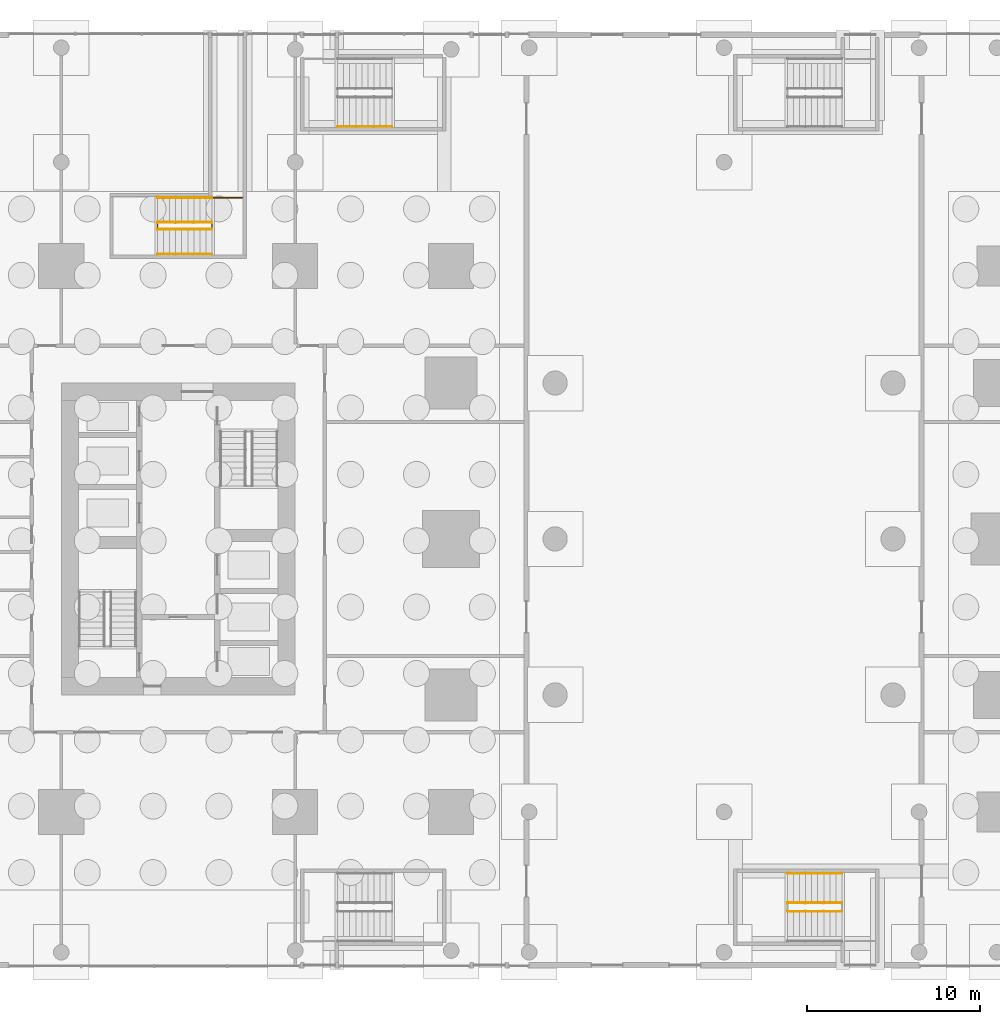
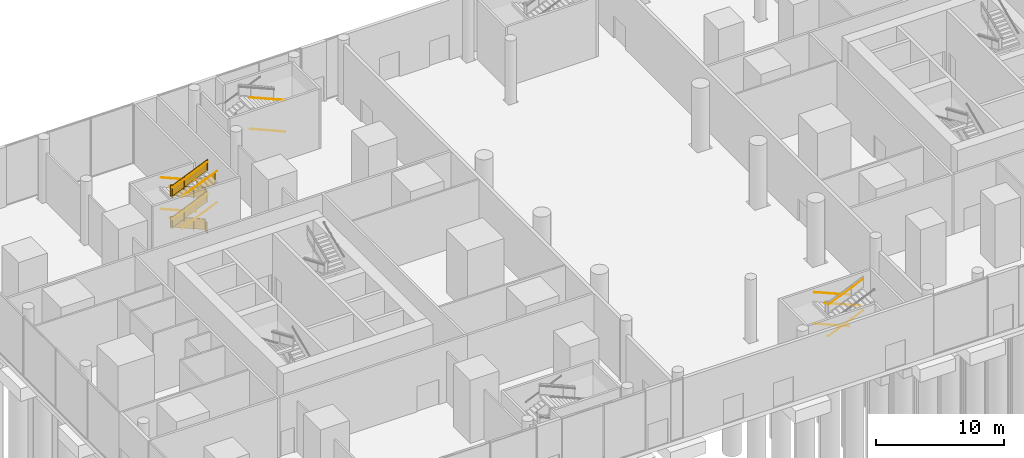
# One storey, part 27 of 31: 17 railings.
"""IFC4 building model written with IfcOpenShell, lengths in metres."""

from ifc_helpers import new_model, si_unit, direction, frame, origin, origin_2d, place, context, subcontext, project, spatial, polyline, circle, outline, extrude, material, type_object, element, save


model = new_model("IFC4")

# Units and contexts
model_context = context("Model", 3, precision=1e-05, world=origin(), true_north=direction((0.0, 1.0)))
body_context = subcontext(model_context, "Body", "Model", "MODEL_VIEW")
ifc_project = project(units=[si_unit("LENGTHUNIT", "METRE"), si_unit("AREAUNIT", "SQUARE_METRE"), si_unit("VOLUMEUNIT", "CUBIC_METRE"), si_unit("PLANEANGLEUNIT", "RADIAN"), si_unit("MASSUNIT", "GRAM", prefix="KILO")], contexts=[model_context])

# Site, building, storey
site_placement = place(None, origin())
site = spatial("IfcSite", under=ifc_project, at=site_placement, CompositionType="ELEMENT")
building_placement = place(site_placement, origin())
building = spatial("IfcBuilding", under=site, at=building_placement, Name="Namib Vertical Campus", CompositionType="ELEMENT")
storey_placement = place(building_placement, origin())
storey = spatial("IfcBuildingStorey", under=building, at=storey_placement, Name="L00", CompositionType="ELEMENT", Elevation=0.0)

# Railings
ifc_material_1 = material(Name="Steel handrail", Category="steel")
railing_type_1 = type_object("IfcRailingType", Name="Handrail 900", PredefinedType="HANDRAIL", material=ifc_material_1)
for number, where, name in (
    (1, (32.59619140625, 44.050048828125, 1.64990234375), "Handrail HR1 P-S1 L00 2"),
    (2, (32.59619140625, 44.050048828125, 4.64990234375), "Handrail HR1 P-S1 L00 4"),
):
    element("IfcRailing", number, at=place(storey_placement, frame(where)), inside=storey, type_object=railing_type_1, Name=name, PredefinedType="HANDRAIL", context=body_context, shape_type="SweptSolid", body=[
        extrude(circle(Radius=0.02392578125, at=origin_2d()), frame((0.0, 0.0, 0.8759765625), z_axis=(-0.919141345424, 0.0, 0.393927895853), x_axis=(0.0, -1.0, 0.0)), (0.0, 0.0, 1.0), 3.42724609375),
        extrude(circle(Radius=0.008056640625, at=origin_2d()), frame((0.0, 0.0, 0.8759765625), z_axis=(0.0, -1.0, 0.0), x_axis=(0.0, 0.0, 1.0)), (0.0, 0.0, 1.0), 0.050048828125),
        extrude(circle(Radius=0.008056640625, at=origin_2d()), frame((-1.050048828125, 0.0, 1.325927734375), z_axis=(0.0, -1.0, 0.0), x_axis=(0.0, 0.0, 1.0)), (0.0, 0.0, 1.0), 0.050048828125),
        extrude(circle(Radius=0.008056640625, at=origin_2d()), frame((-2.10009765625, 0.0, 1.77587890625), z_axis=(0.0, -1.0, 0.0), x_axis=(0.0, 0.0, 1.0)), (0.0, 0.0, 1.0), 0.050048828125),
        extrude(circle(Radius=0.008056640625, at=origin_2d()), frame((-3.150146484375, 0.0, 2.22607421875), z_axis=(0.0, -1.0, 0.0), x_axis=(0.0, 0.0, 1.0)), (0.0, 0.0, 1.0), 0.050048828125),
    ])
for number, where, name in (
    (3, (58.553955078125, 0.949951171875, 0.14990234375), "Handrail HR1 P-S4 L00 1"),
    (4, (58.553955078125, 0.949951171875, 3.14990234375), "Handrail HR1 P-S4 L00 3"),
):
    element("IfcRailing", number, at=place(storey_placement, frame(where)), inside=storey, type_object=railing_type_1, Name=name, PredefinedType="HANDRAIL", context=body_context, shape_type="SweptSolid", body=[
        extrude(circle(Radius=0.02392578125, at=origin_2d()), frame((0.0, 0.0, 0.8759765625), z_axis=(-0.919141345424, 0.0, 0.393927895853), x_axis=(0.0, -1.0, 0.0)), (0.0, 0.0, 1.0), 3.42724609375),
        extrude(circle(Radius=0.008056640625, at=origin_2d()), frame((0.0, 0.0, 0.8759765625), z_axis=(0.0, 1.0, 0.0), x_axis=(0.0, 0.0, 1.0)), (0.0, 0.0, 1.0), 0.050048828125),
        extrude(circle(Radius=0.008056640625, at=origin_2d()), frame((-1.050048828125, 0.0, 1.325927734375), z_axis=(0.0, 1.0, 0.0), x_axis=(0.0, 0.0, 1.0)), (0.0, 0.0, 1.0), 0.050048828125),
        extrude(circle(Radius=0.008056640625, at=origin_2d()), frame((-2.10009765625, 0.0, 1.77587890625), z_axis=(0.0, 1.0, 0.0), x_axis=(0.0, 0.0, 1.0)), (0.0, 0.0, 1.0), 0.050048828125),
        extrude(circle(Radius=0.008056640625, at=origin_2d()), frame((-3.150146484375, 0.0, 2.22607421875), z_axis=(0.0, 1.0, 0.0), x_axis=(0.0, 0.0, 1.0)), (0.0, 0.0, 1.0), 0.050048828125),
    ])
railing_1_placement = place(storey_placement, frame((55.40380859375, -1.25, 1.64990234375)))
element("IfcRailing", 5, at=railing_1_placement, inside=storey, type_object=railing_type_1, Name="Handrail HR1 P-S4 L00 2 at the well", PredefinedType="HANDRAIL", context=body_context, shape_type="SweptSolid", body=[
    extrude(circle(Radius=0.02392578125, at=origin_2d()), frame((0.0, 0.0, 0.8759765625), z_axis=(0.919141345424, 0.0, 0.393927895853), x_axis=(0.0, 1.0, 0.0)), (0.0, 0.0, 1.0), 3.42724609375),
    extrude(circle(Radius=0.008056640625, at=origin_2d()), frame((0.0, 0.0, 0.8759765625), z_axis=(0.0, 1.0, 0.0), x_axis=(0.0, 0.0, 1.0)), (0.0, 0.0, 1.0), 0.0400390625),
    extrude(circle(Radius=0.008056640625, at=origin_2d()), frame((1.050048828125, 0.0, 1.325927734375), z_axis=(0.0, 1.0, 0.0), x_axis=(0.0, 0.0, 1.0)), (0.0, 0.0, 1.0), 0.0400390625),
    extrude(circle(Radius=0.008056640625, at=origin_2d()), frame((2.10009765625, 0.0, 1.77587890625), z_axis=(0.0, 1.0, 0.0), x_axis=(0.0, 0.0, 1.0)), (0.0, 0.0, 1.0), 0.0400390625),
    extrude(circle(Radius=0.008056640625, at=origin_2d()), frame((3.150146484375, 0.0, 2.22607421875), z_axis=(0.0, 1.0, 0.0), x_axis=(0.0, 0.0, 1.0)), (0.0, 0.0, 1.0), 0.0400390625),
])
railing_2_placement = place(storey_placement, frame((58.553955078125, -0.75, 3.14990234375)))
element("IfcRailing", 6, at=railing_2_placement, inside=storey, type_object=railing_type_1, Name="Handrail HR1 P-S4 L00 3 at the well", PredefinedType="HANDRAIL", context=body_context, shape_type="SweptSolid", body=[
    extrude(circle(Radius=0.02392578125, at=origin_2d()), frame((0.0, 0.0, 0.8759765625), z_axis=(-0.919141345424, 0.0, 0.393927895853), x_axis=(0.0, -1.0, 0.0)), (0.0, 0.0, 1.0), 3.42724609375),
    extrude(circle(Radius=0.008056640625, at=origin_2d()), frame((0.0, 0.0, 0.8759765625), z_axis=(0.0, -1.0, 0.0), x_axis=(0.0, 0.0, 1.0)), (0.0, 0.0, 1.0), 0.0400390625),
    extrude(circle(Radius=0.008056640625, at=origin_2d()), frame((-1.050048828125, 0.0, 1.325927734375), z_axis=(0.0, -1.0, 0.0), x_axis=(0.0, 0.0, 1.0)), (0.0, 0.0, 1.0), 0.0400390625),
    extrude(circle(Radius=0.008056640625, at=origin_2d()), frame((-2.10009765625, 0.0, 1.77587890625), z_axis=(0.0, -1.0, 0.0), x_axis=(0.0, 0.0, 1.0)), (0.0, 0.0, 1.0), 0.0400390625),
    extrude(circle(Radius=0.008056640625, at=origin_2d()), frame((-3.150146484375, 0.0, 2.22607421875), z_axis=(0.0, -1.0, 0.0), x_axis=(0.0, 0.0, 1.0)), (0.0, 0.0, 1.0), 0.0400390625),
])
railing_3_placement = place(storey_placement, frame((55.40380859375, -1.25, 4.64990234375)))
element("IfcRailing", 7, at=railing_3_placement, inside=storey, type_object=railing_type_1, Name="Handrail HR1 P-S4 L00 4 at the well", PredefinedType="HANDRAIL", context=body_context, shape_type="SweptSolid", body=[
    extrude(circle(Radius=0.02392578125, at=origin_2d()), frame((0.0, 0.0, 0.8759765625), z_axis=(0.919141345424, 0.0, 0.393927895853), x_axis=(0.0, 1.0, 0.0)), (0.0, 0.0, 1.0), 3.42724609375),
    extrude(circle(Radius=0.008056640625, at=origin_2d()), frame((0.0, 0.0, 0.8759765625), z_axis=(0.0, 1.0, 0.0), x_axis=(0.0, 0.0, 1.0)), (0.0, 0.0, 1.0), 0.0400390625),
    extrude(circle(Radius=0.008056640625, at=origin_2d()), frame((1.050048828125, 0.0, 1.325927734375), z_axis=(0.0, 1.0, 0.0), x_axis=(0.0, 0.0, 1.0)), (0.0, 0.0, 1.0), 0.0400390625),
    extrude(circle(Radius=0.008056640625, at=origin_2d()), frame((2.10009765625, 0.0, 1.77587890625), z_axis=(0.0, 1.0, 0.0), x_axis=(0.0, 0.0, 1.0)), (0.0, 0.0, 1.0), 0.0400390625),
    extrude(circle(Radius=0.008056640625, at=origin_2d()), frame((3.150146484375, 0.0, 2.22607421875), z_axis=(0.0, 1.0, 0.0), x_axis=(0.0, 0.0, 1.0)), (0.0, 0.0, 1.0), 0.0400390625),
])
railing_4_placement = place(storey_placement, frame((22.199951171875, 39.949951171875, 0.14990234375)))
element("IfcRailing", 8, at=railing_4_placement, inside=storey, type_object=railing_type_1, Name="Handrail HR1 A-S3 L00 1", PredefinedType="HANDRAIL", context=body_context, shape_type="SweptSolid", body=[
    extrude(circle(Radius=0.02392578125, at=origin_2d()), frame((0.0, 0.0, 0.8759765625), z_axis=(-0.919130290196, 0.0, 0.393953689721), x_axis=(0.0, -1.0, 0.0)), (0.0, 0.0, 1.0), 3.427001953125),
    extrude(circle(Radius=0.008056640625, at=origin_2d()), frame((0.0, 0.0, 0.8759765625), z_axis=(0.0, 1.0, 0.0), x_axis=(0.0, 0.0, 1.0)), (0.0, 0.0, 1.0), 0.050048828125),
    extrude(circle(Radius=0.008056640625, at=origin_2d()), frame((-1.050048828125, 0.0, 1.325927734375), z_axis=(0.0, 1.0, 0.0), x_axis=(0.0, 0.0, 1.0)), (0.0, 0.0, 1.0), 0.050048828125),
    extrude(circle(Radius=0.008056640625, at=origin_2d()), frame((-2.099853515625, 0.0, 1.77587890625), z_axis=(0.0, 1.0, 0.0), x_axis=(0.0, 0.0, 1.0)), (0.0, 0.0, 1.0), 0.050048828125),
    extrude(circle(Radius=0.008056640625, at=origin_2d()), frame((-3.14990234375, 0.0, 2.22607421875), z_axis=(0.0, 1.0, 0.0), x_axis=(0.0, 0.0, 1.0)), (0.0, 0.0, 1.0), 0.050048828125),
])
railing_5_placement = place(storey_placement, frame((19.050048828125, 36.699951171875, 1.64990234375)))
element("IfcRailing", 9, at=railing_5_placement, inside=storey, type_object=railing_type_1, Name="Handrail HR1 A-S3 L00 2", PredefinedType="HANDRAIL", context=body_context, shape_type="SweptSolid", body=[
    extrude(circle(Radius=0.02392578125, at=origin_2d()), frame((0.0, 0.0, 0.8759765625), z_axis=(0.919130290196, 0.0, 0.393953689721), x_axis=(0.0, 1.0, 0.0)), (0.0, 0.0, 1.0), 3.427001953125),
    extrude(circle(Radius=0.008056640625, at=origin_2d()), frame((0.0, 0.0, 0.8759765625), z_axis=(0.0, -1.0, 0.0), x_axis=(0.0, 0.0, 1.0)), (0.0, 0.0, 1.0), 0.050048828125),
    extrude(circle(Radius=0.008056640625, at=origin_2d()), frame((1.050048828125, 0.0, 1.325927734375), z_axis=(0.0, -1.0, 0.0), x_axis=(0.0, 0.0, 1.0)), (0.0, 0.0, 1.0), 0.050048828125),
    extrude(circle(Radius=0.008056640625, at=origin_2d()), frame((2.099853515625, 0.0, 1.77587890625), z_axis=(0.0, -1.0, 0.0), x_axis=(0.0, 0.0, 1.0)), (0.0, 0.0, 1.0), 0.050048828125),
    extrude(circle(Radius=0.008056640625, at=origin_2d()), frame((3.14990234375, 0.0, 2.22607421875), z_axis=(0.0, -1.0, 0.0), x_axis=(0.0, 0.0, 1.0)), (0.0, 0.0, 1.0), 0.050048828125),
])
railing_6_placement = place(storey_placement, frame((22.199951171875, 39.949951171875, 3.14990234375)))
element("IfcRailing", 10, at=railing_6_placement, inside=storey, type_object=railing_type_1, Name="Handrail HR1 A-S3 L00 3", PredefinedType="HANDRAIL", context=body_context, shape_type="SweptSolid", body=[
    extrude(circle(Radius=0.02392578125, at=origin_2d()), frame((0.0, 0.0, 0.8759765625), z_axis=(-0.919130290196, 0.0, 0.393953689721), x_axis=(0.0, -1.0, 0.0)), (0.0, 0.0, 1.0), 3.427001953125),
    extrude(circle(Radius=0.008056640625, at=origin_2d()), frame((0.0, 0.0, 0.8759765625), z_axis=(0.0, 1.0, 0.0), x_axis=(0.0, 0.0, 1.0)), (0.0, 0.0, 1.0), 0.050048828125),
    extrude(circle(Radius=0.008056640625, at=origin_2d()), frame((-1.050048828125, 0.0, 1.325927734375), z_axis=(0.0, 1.0, 0.0), x_axis=(0.0, 0.0, 1.0)), (0.0, 0.0, 1.0), 0.050048828125),
    extrude(circle(Radius=0.008056640625, at=origin_2d()), frame((-2.099853515625, 0.0, 1.77587890625), z_axis=(0.0, 1.0, 0.0), x_axis=(0.0, 0.0, 1.0)), (0.0, 0.0, 1.0), 0.050048828125),
    extrude(circle(Radius=0.008056640625, at=origin_2d()), frame((-3.14990234375, 0.0, 2.22607421875), z_axis=(0.0, 1.0, 0.0), x_axis=(0.0, 0.0, 1.0)), (0.0, 0.0, 1.0), 0.050048828125),
])
railing_7_placement = place(storey_placement, frame((19.050048828125, 36.699951171875, 4.64990234375)))
element("IfcRailing", 11, at=railing_7_placement, inside=storey, type_object=railing_type_1, Name="Handrail HR1 A-S3 L00 4", PredefinedType="HANDRAIL", context=body_context, shape_type="SweptSolid", body=[
    extrude(circle(Radius=0.02392578125, at=origin_2d()), frame((0.0, 0.0, 0.8759765625), z_axis=(0.919130290196, 0.0, 0.393953689721), x_axis=(0.0, 1.0, 0.0)), (0.0, 0.0, 1.0), 3.427001953125),
    extrude(circle(Radius=0.008056640625, at=origin_2d()), frame((0.0, 0.0, 0.8759765625), z_axis=(0.0, -1.0, 0.0), x_axis=(0.0, 0.0, 1.0)), (0.0, 0.0, 1.0), 0.050048828125),
    extrude(circle(Radius=0.008056640625, at=origin_2d()), frame((1.050048828125, 0.0, 1.325927734375), z_axis=(0.0, -1.0, 0.0), x_axis=(0.0, 0.0, 1.0)), (0.0, 0.0, 1.0), 0.050048828125),
    extrude(circle(Radius=0.008056640625, at=origin_2d()), frame((2.099853515625, 0.0, 1.77587890625), z_axis=(0.0, -1.0, 0.0), x_axis=(0.0, 0.0, 1.0)), (0.0, 0.0, 1.0), 0.050048828125),
    extrude(circle(Radius=0.008056640625, at=origin_2d()), frame((3.14990234375, 0.0, 2.22607421875), z_axis=(0.0, -1.0, 0.0), x_axis=(0.0, 0.0, 1.0)), (0.0, 0.0, 1.0), 0.050048828125),
])
railing_8_placement = place(storey_placement, frame((22.199951171875, 38.52490234375, 0.14990234375)))
element("IfcRailing", 12, at=railing_8_placement, inside=storey, type_object=railing_type_1, Name="Handrail HR1 A-S3 L00 1 at the well", PredefinedType="HANDRAIL", context=body_context, shape_type="SweptSolid", body=[
    extrude(circle(Radius=0.02392578125, at=origin_2d()), frame((0.0, 0.0, 0.8759765625), z_axis=(-0.919130290196, 0.0, 0.393953689721), x_axis=(0.0, -1.0, 0.0)), (0.0, 0.0, 1.0), 3.427001953125),
    extrude(circle(Radius=0.008056640625, at=origin_2d()), frame((0.0, 0.0, 0.8759765625), z_axis=(0.0, -1.0, 0.0), x_axis=(0.0, 0.0, 1.0)), (0.0, 0.0, 1.0), 0.0400390625),
    extrude(circle(Radius=0.008056640625, at=origin_2d()), frame((-1.050048828125, 0.0, 1.325927734375), z_axis=(0.0, -1.0, 0.0), x_axis=(0.0, 0.0, 1.0)), (0.0, 0.0, 1.0), 0.0400390625),
    extrude(circle(Radius=0.008056640625, at=origin_2d()), frame((-2.099853515625, 0.0, 1.77587890625), z_axis=(0.0, -1.0, 0.0), x_axis=(0.0, 0.0, 1.0)), (0.0, 0.0, 1.0), 0.0400390625),
    extrude(circle(Radius=0.008056640625, at=origin_2d()), frame((-3.14990234375, 0.0, 2.22607421875), z_axis=(0.0, -1.0, 0.0), x_axis=(0.0, 0.0, 1.0)), (0.0, 0.0, 1.0), 0.0400390625),
])
railing_9_placement = place(storey_placement, frame((19.050048828125, 38.125, 1.64990234375)))
element("IfcRailing", 13, at=railing_9_placement, inside=storey, type_object=railing_type_1, Name="Handrail HR1 A-S3 L00 2 at the well", PredefinedType="HANDRAIL", context=body_context, shape_type="SweptSolid", body=[
    extrude(circle(Radius=0.02392578125, at=origin_2d()), frame((0.0, 0.0, 0.8759765625), z_axis=(0.919130290196, 0.0, 0.393953689721), x_axis=(0.0, 1.0, 0.0)), (0.0, 0.0, 1.0), 3.427001953125),
    extrude(circle(Radius=0.008056640625, at=origin_2d()), frame((0.0, 0.0, 0.8759765625), z_axis=(0.0, 1.0, 0.0), x_axis=(0.0, 0.0, 1.0)), (0.0, 0.0, 1.0), 0.0400390625),
    extrude(circle(Radius=0.008056640625, at=origin_2d()), frame((1.050048828125, 0.0, 1.325927734375), z_axis=(0.0, 1.0, 0.0), x_axis=(0.0, 0.0, 1.0)), (0.0, 0.0, 1.0), 0.0400390625),
    extrude(circle(Radius=0.008056640625, at=origin_2d()), frame((2.099853515625, 0.0, 1.77587890625), z_axis=(0.0, 1.0, 0.0), x_axis=(0.0, 0.0, 1.0)), (0.0, 0.0, 1.0), 0.0400390625),
    extrude(circle(Radius=0.008056640625, at=origin_2d()), frame((3.14990234375, 0.0, 2.22607421875), z_axis=(0.0, 1.0, 0.0), x_axis=(0.0, 0.0, 1.0)), (0.0, 0.0, 1.0), 0.0400390625),
])
railing_10_placement = place(storey_placement, frame((22.199951171875, 38.52490234375, 3.14990234375)))
element("IfcRailing", 14, at=railing_10_placement, inside=storey, type_object=railing_type_1, Name="Handrail HR1 A-S3 L00 3 at the well", PredefinedType="HANDRAIL", context=body_context, shape_type="SweptSolid", body=[
    extrude(circle(Radius=0.02392578125, at=origin_2d()), frame((0.0, 0.0, 0.8759765625), z_axis=(-0.919130290196, 0.0, 0.393953689721), x_axis=(0.0, -1.0, 0.0)), (0.0, 0.0, 1.0), 3.427001953125),
    extrude(circle(Radius=0.008056640625, at=origin_2d()), frame((0.0, 0.0, 0.8759765625), z_axis=(0.0, -1.0, 0.0), x_axis=(0.0, 0.0, 1.0)), (0.0, 0.0, 1.0), 0.0400390625),
    extrude(circle(Radius=0.008056640625, at=origin_2d()), frame((-1.050048828125, 0.0, 1.325927734375), z_axis=(0.0, -1.0, 0.0), x_axis=(0.0, 0.0, 1.0)), (0.0, 0.0, 1.0), 0.0400390625),
    extrude(circle(Radius=0.008056640625, at=origin_2d()), frame((-2.099853515625, 0.0, 1.77587890625), z_axis=(0.0, -1.0, 0.0), x_axis=(0.0, 0.0, 1.0)), (0.0, 0.0, 1.0), 0.0400390625),
    extrude(circle(Radius=0.008056640625, at=origin_2d()), frame((-3.14990234375, 0.0, 2.22607421875), z_axis=(0.0, -1.0, 0.0), x_axis=(0.0, 0.0, 1.0)), (0.0, 0.0, 1.0), 0.0400390625),
])
railing_11_placement = place(storey_placement, frame((19.050048828125, 38.125, 4.64990234375)))
element("IfcRailing", 15, at=railing_11_placement, inside=storey, type_object=railing_type_1, Name="Handrail HR1 A-S3 L00 4 at the well", PredefinedType="HANDRAIL", context=body_context, shape_type="SweptSolid", body=[
    extrude(circle(Radius=0.02392578125, at=origin_2d()), frame((0.0, 0.0, 0.8759765625), z_axis=(0.919130290196, 0.0, 0.393953689721), x_axis=(0.0, 1.0, 0.0)), (0.0, 0.0, 1.0), 3.427001953125),
    extrude(circle(Radius=0.008056640625, at=origin_2d()), frame((0.0, 0.0, 0.8759765625), z_axis=(0.0, 1.0, 0.0), x_axis=(0.0, 0.0, 1.0)), (0.0, 0.0, 1.0), 0.0400390625),
    extrude(circle(Radius=0.008056640625, at=origin_2d()), frame((1.050048828125, 0.0, 1.325927734375), z_axis=(0.0, 1.0, 0.0), x_axis=(0.0, 0.0, 1.0)), (0.0, 0.0, 1.0), 0.0400390625),
    extrude(circle(Radius=0.008056640625, at=origin_2d()), frame((2.099853515625, 0.0, 1.77587890625), z_axis=(0.0, 1.0, 0.0), x_axis=(0.0, 0.0, 1.0)), (0.0, 0.0, 1.0), 0.0400390625),
    extrude(circle(Radius=0.008056640625, at=origin_2d()), frame((3.14990234375, 0.0, 2.22607421875), z_axis=(0.0, 1.0, 0.0), x_axis=(0.0, 0.0, 1.0)), (0.0, 0.0, 1.0), 0.0400390625),
])
ifc_material_2 = material(Name="Steel balustrade", Category="steel")
railing_type_2 = type_object("IfcRailingType", Name="Stair guard 1100", PredefinedType="GUARDRAIL", material=ifc_material_2)
railing_12_placement = place(storey_placement, frame((22.199951171875, 38.175048828125, 0.0)))
element("IfcRailing", 16, at=railing_12_placement, inside=storey, type_object=railing_type_2, Name="Stair guard GR1 A-S3 L00", PredefinedType="GUARDRAIL", context=body_context, shape_type="SweptSolid", body=[
    extrude(circle(Radius=0.02392578125, at=origin_2d()), frame((0.0, 0.0, 1.076171875), z_axis=(0.0, 1.0, 0.0), x_axis=(-1.0, 0.0, 0.0)), (0.0, 0.0, 1.0), 0.300048828125),
    extrude(outline(polyline([(0.02099609375, 0.050048828125), (0.279052734375, 0.050048828125), (0.279052734375, 1.052001953125), (0.02099609375, 1.052001953125), (0.02099609375, 0.050048828125)])), frame((-0.010009765625, 0.0, 0.0), z_axis=(1.0, 0.0, 0.0), x_axis=(0.0, 1.0, 0.0)), (0.0, 0.0, 1.0), 0.02001953125),
    extrude(circle(Radius=0.02392578125, at=origin_2d()), frame((0.0, 0.300048828125, 1.076171875), z_axis=(0.0, 0.0, 1.0), x_axis=(1.0, 0.0, 0.0)), (0.0, 0.0, 1.0), 0.14990234375),
    extrude(circle(Radius=0.02392578125, at=origin_2d()), frame((0.0, 0.300048828125, 1.22607421875), z_axis=(-0.919130290196, 0.0, 0.393953689721), x_axis=(0.0, -1.0, 0.0)), (0.0, 0.0, 1.0), 3.427001953125),
    extrude(outline(polyline([(0.02099609375, 0.05908203125), (3.12890625, 1.39111328125), (3.12890625, 2.39306640625), (0.02099609375, 1.06103515625), (0.02099609375, 0.05908203125)])), frame((0.0, 0.2900390625, 0.14990234375), z_axis=(0.0, 1.0, 0.0), x_axis=(-1.0, 0.0, 0.0)), (0.0, 0.0, 1.0), 0.02001953125),
    extrude(circle(Radius=0.02392578125, at=origin_2d()), frame((-3.14990234375, 0.300048828125, 2.576171875), z_axis=(0.0, -1.0, 0.0), x_axis=(1.0, 0.0, 0.0)), (0.0, 0.0, 1.0), 0.300048828125),
    extrude(outline(polyline([(0.02099609375, 0.050048828125), (0.279052734375, 0.050048828125), (0.279052734375, 1.052001953125), (0.02099609375, 1.052001953125), (0.02099609375, 0.050048828125)])), frame((-3.139892578125, 0.300048828125, 1.5), z_axis=(-1.0, 0.0, 0.0), x_axis=(0.0, -1.0, 0.0)), (0.0, 0.0, 1.0), 0.02001953125),
    extrude(circle(Radius=0.02392578125, at=origin_2d()), frame((-3.14990234375, 0.0, 2.576171875), z_axis=(0.0, 0.0, 1.0), x_axis=(1.0, 0.0, 0.0)), (0.0, 0.0, 1.0), 0.14990234375),
    extrude(circle(Radius=0.02392578125, at=origin_2d()), frame((-3.14990234375, 0.0, 2.72607421875), z_axis=(0.919130290196, 0.0, 0.393953689721), x_axis=(0.0, 1.0, 0.0)), (0.0, 0.0, 1.0), 3.427001953125),
    extrude(outline(polyline([(0.02099609375, 0.05908203125), (3.12890625, 1.39111328125), (3.12890625, 2.39306640625), (0.02099609375, 1.06103515625), (0.02099609375, 0.05908203125)])), frame((-3.14990234375, 0.010009765625, 1.64990234375), z_axis=(0.0, -1.0, 0.0), x_axis=(1.0, 0.0, 0.0)), (0.0, 0.0, 1.0), 0.02001953125),
    extrude(circle(Radius=0.02392578125, at=origin_2d()), frame((0.0, 0.0, 4.076171875), z_axis=(0.0, 1.0, 0.0), x_axis=(-1.0, 0.0, 0.0)), (0.0, 0.0, 1.0), 0.300048828125),
    extrude(outline(polyline([(0.02099609375, 0.050048828125), (0.279052734375, 0.050048828125), (0.279052734375, 1.052001953125), (0.02099609375, 1.052001953125), (0.02099609375, 0.050048828125)])), frame((-0.010009765625, 0.0, 3.0), z_axis=(1.0, 0.0, 0.0), x_axis=(0.0, 1.0, 0.0)), (0.0, 0.0, 1.0), 0.02001953125),
    extrude(circle(Radius=0.02392578125, at=origin_2d()), frame((0.0, 0.300048828125, 4.076171875), z_axis=(0.0, 0.0, 1.0), x_axis=(1.0, 0.0, 0.0)), (0.0, 0.0, 1.0), 0.14990234375),
    extrude(circle(Radius=0.02392578125, at=origin_2d()), frame((0.0, 0.300048828125, 4.22607421875), z_axis=(-0.919130290196, 0.0, 0.393953689721), x_axis=(0.0, -1.0, 0.0)), (0.0, 0.0, 1.0), 3.427001953125),
    extrude(outline(polyline([(0.02099609375, 0.05908203125), (3.12890625, 1.39111328125), (3.12890625, 2.39306640625), (0.02099609375, 1.06103515625), (0.02099609375, 0.05908203125)])), frame((0.0, 0.2900390625, 3.14990234375), z_axis=(0.0, 1.0, 0.0), x_axis=(-1.0, 0.0, 0.0)), (0.0, 0.0, 1.0), 0.02001953125),
    extrude(circle(Radius=0.02392578125, at=origin_2d()), frame((-3.14990234375, 0.300048828125, 5.576171875), z_axis=(0.0, -1.0, 0.0), x_axis=(1.0, 0.0, 0.0)), (0.0, 0.0, 1.0), 0.300048828125),
    extrude(outline(polyline([(0.02099609375, 0.050048828125), (0.279052734375, 0.050048828125), (0.279052734375, 1.052001953125), (0.02099609375, 1.052001953125), (0.02099609375, 0.050048828125)])), frame((-3.139892578125, 0.300048828125, 4.5), z_axis=(-1.0, 0.0, 0.0), x_axis=(0.0, -1.0, 0.0)), (0.0, 0.0, 1.0), 0.02001953125),
    extrude(circle(Radius=0.02392578125, at=origin_2d()), frame((-3.14990234375, 0.0, 5.576171875), z_axis=(0.0, 0.0, 1.0), x_axis=(1.0, 0.0, 0.0)), (0.0, 0.0, 1.0), 0.14990234375),
    extrude(circle(Radius=0.02392578125, at=origin_2d()), frame((-3.14990234375, 0.0, 5.72607421875), z_axis=(0.919130290196, 0.0, 0.393953689721), x_axis=(0.0, 1.0, 0.0)), (0.0, 0.0, 1.0), 3.427001953125),
    extrude(outline(polyline([(0.02099609375, 0.05908203125), (3.12890625, 1.39111328125), (3.12890625, 2.39306640625), (0.02099609375, 1.06103515625), (0.02099609375, 0.05908203125)])), frame((-3.14990234375, 0.010009765625, 4.64990234375), z_axis=(0.0, -1.0, 0.0), x_axis=(1.0, 0.0, 0.0)), (0.0, 0.0, 1.0), 0.02001953125),
    extrude(circle(Radius=0.02392578125, at=origin_2d()), frame((0.0, 0.0, 7.076171875), z_axis=(1.0, 0.0, 0.0), x_axis=(0.0, 1.0, 0.0)), (0.0, 0.0, 1.0), 0.050048828125),
    extrude(outline(polyline([(0.02099609375, 0.050048828125), (0.029052734375, 0.050048828125), (0.029052734375, 1.052001953125), (0.02099609375, 1.052001953125), (0.02099609375, 0.050048828125)])), frame((0.0, 0.010009765625, 6.0), z_axis=(0.0, -1.0, 0.0), x_axis=(1.0, 0.0, 0.0)), (0.0, 0.0, 1.0), 0.02001953125),
    extrude(circle(Radius=0.02099609375, at=origin_2d()), origin(), (0.0, 0.0, 1.0), 1.052001953125),
    extrude(circle(Radius=0.02099609375, at=origin_2d()), frame((0.0, 0.300048828125, 0.14990234375)), (0.0, 0.0, 1.0), 1.052001953125),
    extrude(circle(Radius=0.02099609375, at=origin_2d()), frame((-1.050048828125, 0.300048828125, 0.449951171875)), (0.0, 0.0, 1.0), 1.2021484375),
    extrude(circle(Radius=0.02099609375, at=origin_2d()), frame((-2.099853515625, 0.300048828125, 0.89990234375)), (0.0, 0.0, 1.0), 1.2021484375),
    extrude(circle(Radius=0.02099609375, at=origin_2d()), frame((-3.14990234375, 0.300048828125, 1.5)), (0.0, 0.0, 1.0), 1.052001953125),
    extrude(circle(Radius=0.02099609375, at=origin_2d()), frame((-3.14990234375, 0.0, 1.64990234375)), (0.0, 0.0, 1.0), 1.052001953125),
    extrude(circle(Radius=0.02099609375, at=origin_2d()), frame((-2.099853515625, 0.0, 1.949951171875)), (0.0, 0.0, 1.0), 1.2021484375),
    extrude(circle(Radius=0.02099609375, at=origin_2d()), frame((-1.050048828125, 0.0, 2.39990234375)), (0.0, 0.0, 1.0), 1.2021484375),
    extrude(circle(Radius=0.02099609375, at=origin_2d()), frame((0.0, 0.0, 3.0)), (0.0, 0.0, 1.0), 1.052001953125),
    extrude(circle(Radius=0.02099609375, at=origin_2d()), frame((0.0, 0.300048828125, 3.14990234375)), (0.0, 0.0, 1.0), 1.052001953125),
    extrude(circle(Radius=0.02099609375, at=origin_2d()), frame((-1.050048828125, 0.300048828125, 3.449951171875)), (0.0, 0.0, 1.0), 1.2021484375),
    extrude(circle(Radius=0.02099609375, at=origin_2d()), frame((-2.099853515625, 0.300048828125, 3.89990234375)), (0.0, 0.0, 1.0), 1.2021484375),
    extrude(circle(Radius=0.02099609375, at=origin_2d()), frame((-3.14990234375, 0.300048828125, 4.5)), (0.0, 0.0, 1.0), 1.052001953125),
    extrude(circle(Radius=0.02099609375, at=origin_2d()), frame((-3.14990234375, 0.0, 4.64990234375)), (0.0, 0.0, 1.0), 1.052001953125),
    extrude(circle(Radius=0.02099609375, at=origin_2d()), frame((-2.099853515625, 0.0, 4.949951171875)), (0.0, 0.0, 1.0), 1.2021484375),
    extrude(circle(Radius=0.02099609375, at=origin_2d()), frame((-1.050048828125, 0.0, 5.39990234375)), (0.0, 0.0, 1.0), 1.2021484375),
    extrude(circle(Radius=0.02099609375, at=origin_2d()), frame((0.0, 0.0, 6.0)), (0.0, 0.0, 1.0), 1.052001953125),
    extrude(circle(Radius=0.02099609375, at=origin_2d()), frame((0.050048828125, 0.0, 6.0)), (0.0, 0.0, 1.0), 1.052001953125),
])
railing_13_placement = place(storey_placement, frame((22.25, 39.949951171875, 3.0)))
element("IfcRailing", 17, at=railing_13_placement, inside=storey, type_object=railing_type_2, Name="Stair guard GR1 A-S3 L00 over the exit opening 1", PredefinedType="GUARDRAIL", context=body_context, shape_type="SweptSolid", body=[
    extrude(circle(Radius=0.02392578125, at=origin_2d()), frame((0.0, 0.0, 1.076171875), z_axis=(1.0, 0.0, 0.0), x_axis=(0.0, 1.0, 0.0)), (0.0, 0.0, 1.0), 1.699951171875),
    extrude(outline(polyline([(0.02099609375, 0.050048828125), (1.678955078125, 0.050048828125), (1.678955078125, 1.052001953125), (0.02099609375, 1.052001953125), (0.02099609375, 0.050048828125)])), frame((0.0, 0.010009765625, 0.0), z_axis=(0.0, -1.0, 0.0), x_axis=(1.0, 0.0, 0.0)), (0.0, 0.0, 1.0), 0.02001953125),
    extrude(circle(Radius=0.02099609375, at=origin_2d()), origin(), (0.0, 0.0, 1.0), 1.052001953125),
    extrude(circle(Radius=0.02099609375, at=origin_2d()), frame((0.85009765625, 0.0, 0.0)), (0.0, 0.0, 1.0), 1.052001953125),
    extrude(circle(Radius=0.02099609375, at=origin_2d()), frame((1.699951171875, 0.0, 0.0)), (0.0, 0.0, 1.0), 1.052001953125),
])

save(model, "model.ifc")
